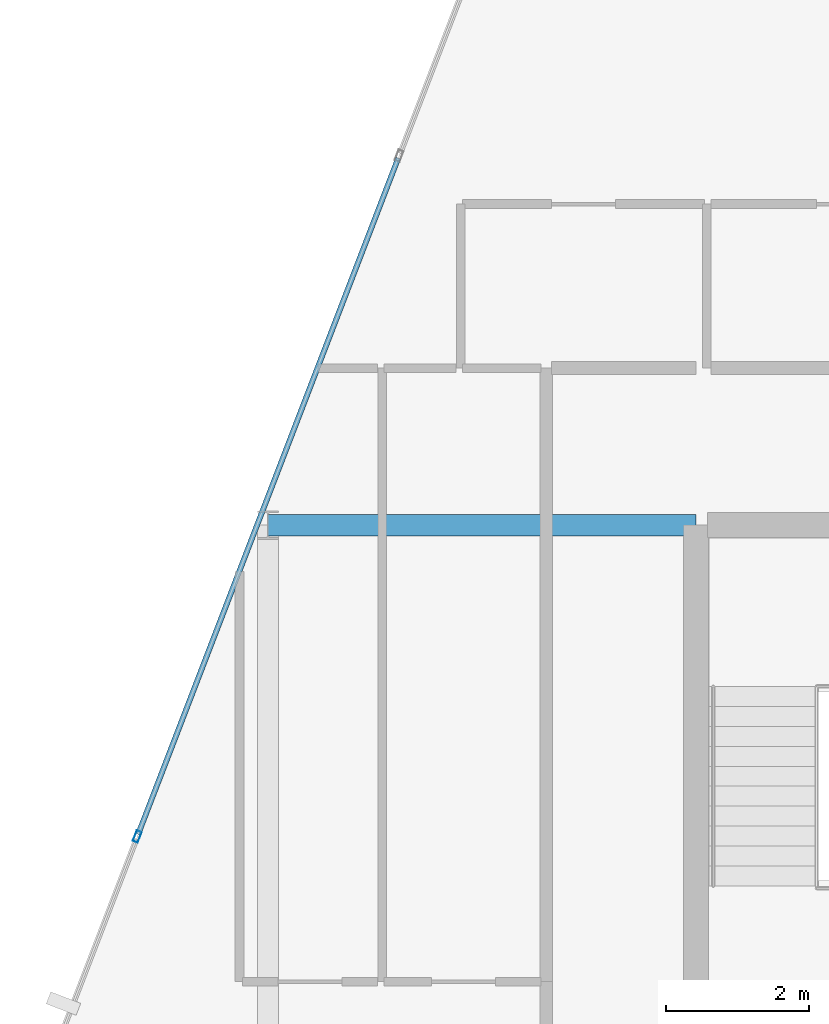
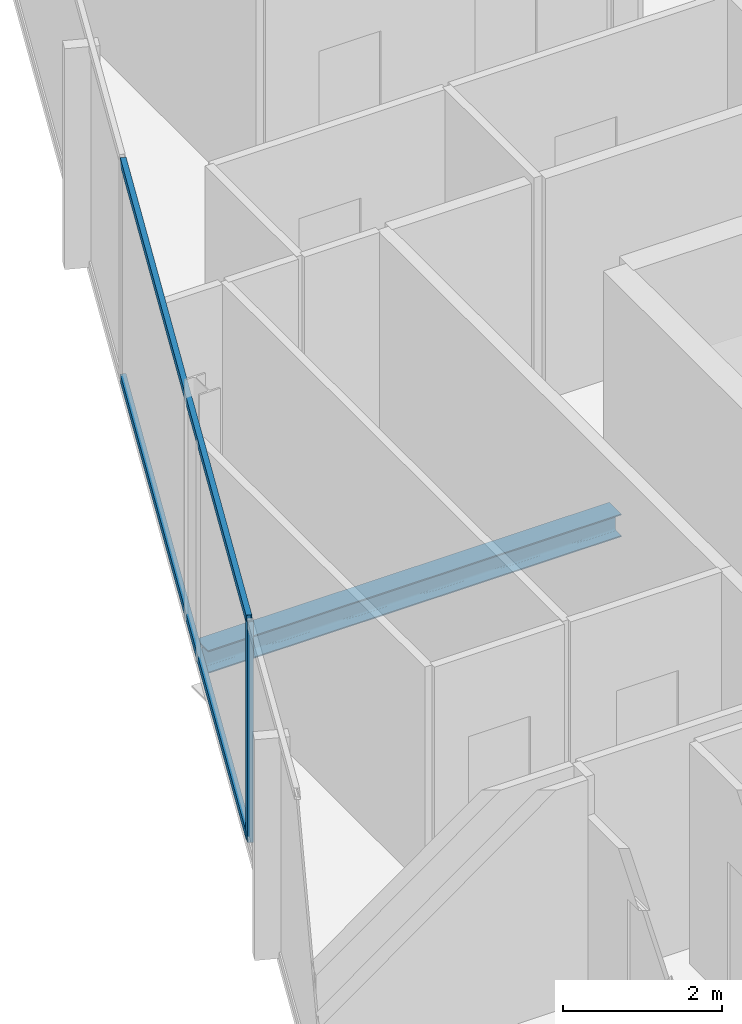
# One storey, part 10 of 28: 3 members, 1 beam, 1 element without a shape of its own.
"""IFC4 building model written with IfcOpenShell, lengths in metres."""

from ifc_helpers import new_model, si_unit, direction, frame, origin, origin_2d, place, context, subcontext, project, spatial, hollow_rectangle, i_section, extrude, material, layer, layer_set, material_profile, profile_set, type_object, element, aggregate, save


model = new_model("IFC4")

# Units and contexts
model_context = context("Model", 3, precision=1e-05, world=origin(), true_north=direction((0.0, 1.0)))
body_context = subcontext(model_context, "Body", "Model", "MODEL_VIEW")
ifc_project = project(units=[si_unit("LENGTHUNIT", "METRE"), si_unit("AREAUNIT", "SQUARE_METRE"), si_unit("VOLUMEUNIT", "CUBIC_METRE"), si_unit("PLANEANGLEUNIT", "RADIAN"), si_unit("MASSUNIT", "GRAM", prefix="KILO")], contexts=[model_context])

# Site, building, storey
site_placement = place(None, origin())
site = spatial("IfcSite", under=ifc_project, at=site_placement, CompositionType="ELEMENT")
building_placement = place(site_placement, origin())
building = spatial("IfcBuilding", under=site, at=building_placement, Name="Keshet Zoharim Tower", CompositionType="ELEMENT")
storey_placement = place(building_placement, frame((0.0, 0.0, 251.0)))
storey = spatial("IfcBuildingStorey", under=building, at=storey_placement, Name="L62", CompositionType="ELEMENT", Elevation=251.0)

# Beam
ifc_material_1 = material(Name="Steel S355", Category="steel")
ifc_material_profile_1 = material_profile(ifc_material_1, i_section(OverallWidth=0.300048828125, OverallDepth=0.35009765625, WebThickness=0.010009765625, FlangeThickness=0.017578125, FilletRadius=0.027099609375, at=origin_2d()), Name="HEA360")
ifc_profile_set_1 = profile_set([ifc_material_profile_1], Name="Steel S355")
beam_type = type_object("IfcBeamType", Name="BM-PRI-HA360", PredefinedType="BEAM", material=ifc_profile_set_1)
beam_placement = place(storey_placement, frame((9.0, 37.89990234375, -0.485107421875), z_axis=(1.0, 0.0, 0.0), x_axis=(0.0, 1.0, 0.0)))
element("IfcBeam", 1, at=beam_placement, inside=storey, type_object=beam_type, Name="L62 Primary Girder X-008", PredefinedType="BEAM", context=body_context, shape_type="SweptSolid", body=[
    extrude(i_section(OverallWidth=0.300048828125, OverallDepth=0.35009765625, WebThickness=0.010009765625, FlangeThickness=0.017578125, FilletRadius=0.027099609375, at=origin_2d()), origin(), (0.0, 0.0, 1.0), 6.0),
])

# Curtain wall, members
ifc_material_2 = material(Name="Aluminium 6063-T6", Category="aluminium")
ifc_layer = layer(ifc_material_2, 0.260009765625)
ifc_layer_set = layer_set([ifc_layer], Name="Aluminium 6063-T6")
curtain_wall_type = type_object("IfcCurtainWallType", Name="CW-SYS-06", PredefinedType="NOTDEFINED", material=ifc_layer_set)
curtain_wall_placement = place(storey_placement, origin())
curtain_wall = element("IfcCurtainWall", 2, at=curtain_wall_placement, inside=storey, type_object=curtain_wall_type, Name="L62 Unitised Curtain Wall 03", PredefinedType="NOTDEFINED")
ifc_material_profile_2 = material_profile(ifc_material_2, hollow_rectangle(XDim=0.074951171875, YDim=0.159912109375, WallThickness=0.00390625, at=origin_2d()), Name="MUL-75x160")
ifc_profile_set_2 = profile_set([ifc_material_profile_2], Name="Aluminium 6063-T6")
member_type_1 = type_object("IfcMemberType", Name="CWM-M15", PredefinedType="MULLION", material=ifc_profile_set_2)
member_1_placement = place(storey_placement, frame((7.1669921875, 33.53466796875, 0.0), z_axis=(0.0, 0.0, 1.0), x_axis=(-0.933341404361, 0.358990003907, 0.0)))
member_1 = element("IfcMember", 3, at=member_1_placement, type_object=member_type_1, Name="CW-06 mullion 2", PredefinedType="MULLION", context=body_context, shape_type="SweptSolid", body=[
    extrude(hollow_rectangle(XDim=0.074951171875, YDim=0.159912109375, WallThickness=0.00390625, at=origin_2d()), origin(), (0.0, 0.0, 1.0), 3.389892578125),
])
ifc_material_profile_3 = material_profile(ifc_material_2, hollow_rectangle(XDim=0.074951171875, YDim=0.1201171875, WallThickness=0.00390625, at=origin_2d()), Name="TRN-75x120")
ifc_profile_set_3 = profile_set([ifc_material_profile_3], Name="Aluminium 6063-T6")
member_type_2 = type_object("IfcMemberType", Name="CWT-T12", PredefinedType="USERDEFINED", material=ifc_profile_set_3)
member_2_placement = place(storey_placement, frame((7.179443359375, 33.5673828125, 0.034912109375), z_axis=(0.359003248899, 0.933336309848, 0.0), x_axis=(-0.933336309848, 0.359003248899, 0.0)))
member_2 = element("IfcMember", 4, at=member_2_placement, type_object=member_type_2, Name="CW-06 transom 2.1", ObjectType="TRANSOM", PredefinedType="USERDEFINED", context=body_context, shape_type="SweptSolid", body=[
    extrude(hollow_rectangle(XDim=0.074951171875, YDim=0.1201171875, WallThickness=0.00390625, at=origin_2d()), origin(), (0.0, 0.0, 1.0), 10.153076171875),
])
member_3_placement = place(storey_placement, frame((7.179443359375, 33.5673828125, 3.35498046875), z_axis=(0.359003248899, 0.933336309848, 0.0), x_axis=(-0.933336309848, 0.359003248899, 0.0)))
member_3 = element("IfcMember", 5, at=member_3_placement, type_object=member_type_2, Name="CW-06 transom 2.2", ObjectType="TRANSOM", PredefinedType="USERDEFINED", context=body_context, shape_type="SweptSolid", body=[
    extrude(hollow_rectangle(XDim=0.074951171875, YDim=0.1201171875, WallThickness=0.00390625, at=origin_2d()), origin(), (0.0, 0.0, 1.0), 10.153076171875),
])
aggregate(curtain_wall, [member_1, member_2, member_3])

save(model, "model.ifc")
